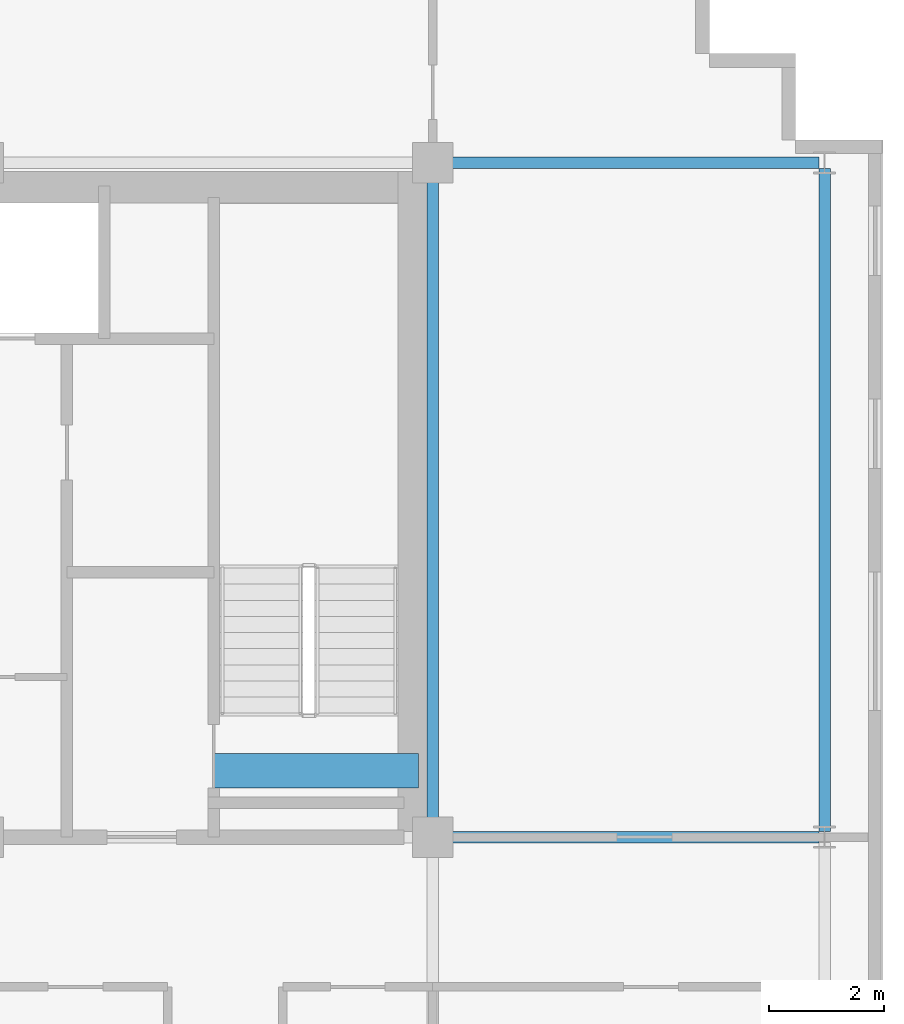
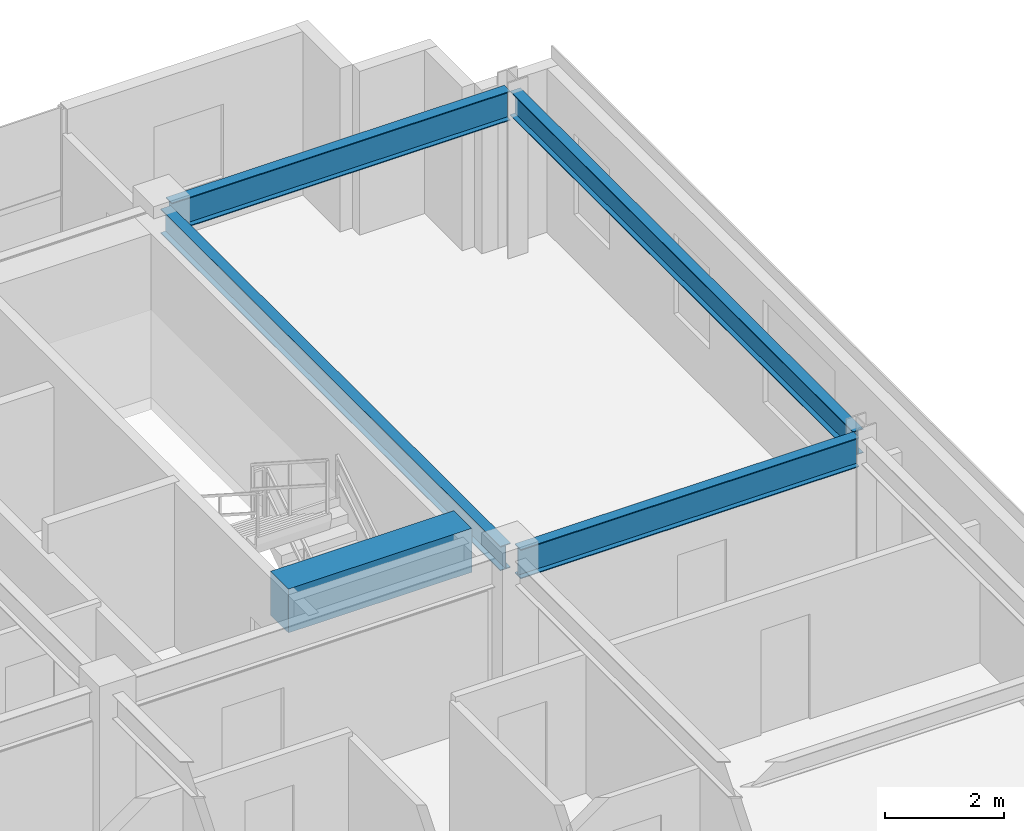
# One storey, part 11 of 20: 5 beams.
"""IFC4 building model written with IfcOpenShell, lengths in metres."""

import ifcopenshell
import ifcopenshell.guid

model = None  # the IFC model being written
_history = None  # IfcOwnerHistory: only IFC2X3 demands one
_inside = {}  # id of a spatial element -> (the spatial element, [elements in it])
_under = {}  # id of a project, library or spatial element -> (it, [spatial elements below it])
_declared = {}  # id of a project -> (the project, [libraries it declares])
_typed = {}  # id of a type object -> (the type object, [elements of that type])
_made_of = {}  # id of a material, layer set ... -> (it, [elements and type objects made of it])


def new_model(schema):
    """Start an empty IFC model of exactly this schema.

    Asked for "IFC4X3", IfcOpenShell would pick the latest addendum, in which some entities
    have other attributes; the version numbers below select the first issue.
    IFC2X3 requires an IfcOwnerHistory on every rooted entity: one is made here for all.
    """
    global model, _history
    if schema == "IFC4X3":
        model = ifcopenshell.file(schema_version=(4, 3, 0, 0))
    else:
        model = ifcopenshell.file(schema=schema)
    _inside.clear()
    _under.clear()
    _declared.clear()
    _typed.clear()
    _made_of.clear()
    _history = None
    if model.schema == "IFC2X3":
        org = make("IfcOrganization", Name="unknown")
        user = make(
            "IfcPersonAndOrganization",
            ThePerson=make("IfcPerson", FamilyName="unknown"),
            TheOrganization=org,
        )
        app = make(
            "IfcApplication",
            ApplicationDeveloper=org,
            Version="unknown",
            ApplicationFullName="unknown",
            ApplicationIdentifier="unknown",
        )
        _history = make(
            "IfcOwnerHistory",
            OwningUser=user,
            OwningApplication=app,
            ChangeAction="ADDED",
            CreationDate=0,
        )
    return model


def make(cls, **values):
    """One entity of the class cls with the attributes given. An attribute that is None is left unset."""
    return model.create_entity(
        cls, **{name: value for name, value in values.items() if value is not None}
    )


def rooted(cls, **values):
    """An entity with a GlobalId (a new one), such as an element, a storey or a relation."""
    return make(cls, GlobalId=ifcopenshell.guid.new(), OwnerHistory=_history, **values)


def si_unit(unit_type, name, prefix=None):
    """IfcSIUnit, for example si_unit("LENGTHUNIT", "METRE", prefix="MILLI")."""
    return make("IfcSIUnit", UnitType=unit_type, Prefix=prefix, Name=name)


def assignment(units):
    """IfcUnitAssignment: the units of a project."""
    return None if units is None else make("IfcUnitAssignment", Units=units)


def point(xyz):
    """IfcCartesianPoint."""
    return None if xyz is None else make("IfcCartesianPoint", Coordinates=xyz)


def direction(xyz):
    """IfcDirection."""
    return None if xyz is None else make("IfcDirection", DirectionRatios=xyz)


def frame(location, z_axis=None, x_axis=None):
    """IfcAxis2Placement3D, a coordinate frame: its origin and axes. An axis left out is left unset."""
    return make(
        "IfcAxis2Placement3D",
        Location=point(location),
        Axis=direction(z_axis),
        RefDirection=direction(x_axis),
    )


def frame_2d(location, x_axis=None):
    """IfcAxis2Placement2D, a coordinate frame in the plane: its origin and x axis."""
    return make(
        "IfcAxis2Placement2D", Location=point(location), RefDirection=direction(x_axis)
    )


def origin():
    """The frame at (0, 0, 0) with its axes left unset."""
    return frame((0.0, 0.0, 0.0))


def origin_2d():
    """The frame at (0, 0) in the plane with its x axis left unset."""
    return frame_2d((0.0, 0.0))


def place(relative_to, where):
    """IfcLocalPlacement: puts the frame where relative to a parent placement (None: the world)."""
    return make(
        "IfcLocalPlacement", PlacementRelTo=relative_to, RelativePlacement=where
    )


def context(
    kind, dimensions, precision=None, world=None, true_north=None, identifier=None
):
    """IfcGeometricRepresentationContext, for example the 3D "Model" context."""
    return make(
        "IfcGeometricRepresentationContext",
        ContextIdentifier=identifier,
        ContextType=kind,
        CoordinateSpaceDimension=dimensions,
        Precision=precision,
        WorldCoordinateSystem=world,
        TrueNorth=true_north,
    )


def subcontext(parent, identifier, kind, view, scale=None):
    """IfcGeometricRepresentationSubContext, for example "Body" below "Model"."""
    return make(
        "IfcGeometricRepresentationSubContext",
        ContextIdentifier=identifier,
        ContextType=kind,
        ParentContext=parent,
        TargetScale=scale,
        TargetView=view,
    )


def project(units=None, contexts=None):
    """IfcProject with its units and contexts."""
    return rooted(
        "IfcProject",
        Name="project",
        RepresentationContexts=contexts,
        UnitsInContext=assignment(units),
    )


def spatial(cls, under=None, at=None, **own):
    """A site, building, storey or space (cls), placed at a placement, below another one or the project."""
    s = rooted(cls, ObjectPlacement=at, **own)
    if under is not None:
        _under.setdefault(under.id(), (under, []))[1].append(s)
    return s


def profile(cls, at=None, kind="AREA", **sizes):
    """A parametric profile (cls). Its sizes go by their IFC names, for example OverallWidth=200.0."""
    return make(cls, ProfileType=kind, Position=at, **sizes)


def rectangle(**sizes):
    """IfcRectangleProfileDef."""
    return profile("IfcRectangleProfileDef", **sizes)


def i_section(**sizes):
    """IfcIShapeProfileDef."""
    return profile("IfcIShapeProfileDef", **sizes)


def extrude(swept, where, along, depth):
    """IfcExtrudedAreaSolid: the profile swept, set in the frame where, extruded along a direction by depth."""
    return make(
        "IfcExtrudedAreaSolid",
        SweptArea=swept,
        Position=where,
        ExtrudedDirection=direction(along),
        Depth=depth,
    )


def shape(context_of_items, identifier, shape_type, items):
    """IfcShapeRepresentation: the items that make up one representation, for example the "Body"."""
    return make(
        "IfcShapeRepresentation",
        ContextOfItems=context_of_items,
        RepresentationIdentifier=identifier,
        RepresentationType=shape_type,
        Items=items,
    )


def source(mapping_origin, context_of_items, identifier, shape_type, items):
    """IfcRepresentationMap: a shape defined once, which mapped items show again and again."""
    return make(
        "IfcRepresentationMap",
        MappingOrigin=mapping_origin,
        MappedRepresentation=shape(context_of_items, identifier, shape_type, items),
    )


def transform(
    local_origin,
    x_axis=None,
    y_axis=None,
    z_axis=None,
    scale=None,
    scale2=None,
    scale3=None,
    uniform=True,
):
    """IfcCartesianTransformationOperator3D, or its non-uniform kind. x_axis, y_axis, z_axis: its Axis1, 2, 3."""
    if uniform:
        return make(
            "IfcCartesianTransformationOperator3D",
            Axis1=direction(x_axis),
            Axis2=direction(y_axis),
            LocalOrigin=point(local_origin),
            Scale=scale,
            Axis3=direction(z_axis),
        )
    return make(
        "IfcCartesianTransformationOperator3DnonUniform",
        Axis1=direction(x_axis),
        Axis2=direction(y_axis),
        LocalOrigin=point(local_origin),
        Scale=scale,
        Axis3=direction(z_axis),
        Scale2=scale2,
        Scale3=scale3,
    )


def mapped(mapping_source, mapping_target):
    """IfcMappedItem: shows the shape of a source again, moved by a transform."""
    return make(
        "IfcMappedItem", MappingSource=mapping_source, MappingTarget=mapping_target
    )


def material(Name=None, Category=None):
    """IfcMaterial."""
    return make("IfcMaterial", Name=Name, Category=Category)


def material_profile(
    of_material, cross_section, Name=None, Category=None, Priority=None
):
    """IfcMaterialProfile: a cross section and its material."""
    return make(
        "IfcMaterialProfile",
        Name=Name,
        Material=of_material,
        Profile=cross_section,
        Priority=Priority,
        Category=Category,
    )


def profile_set(profiles, Name=None, composite=None):
    """IfcMaterialProfileSet."""
    return make(
        "IfcMaterialProfileSet",
        Name=Name,
        MaterialProfiles=profiles,
        CompositeProfile=composite,
    )


def made_of(thing, what):
    """Note that an element or type object is made of a material, layer set ...; save() writes the relation."""
    if what is not None:
        _made_of.setdefault(what.id(), (what, []))[1].append(thing)
    return thing


def type_object(cls, material=None, **own):
    """A type object (cls), such as IfcWallType, which elements share."""
    return made_of(rooted(cls, **own), material)


def element(
    cls,
    number,
    at=None,
    inside=None,
    cuts=None,
    type_object=None,
    material=None,
    context=None,
    identifier="Body",
    shape_type=None,
    held_by="IfcProductDefinitionShape",
    body=None,
    shapes=None,
    **own,
):
    """One element of the class cls, such as IfcWall. Its Tag is "e" and its number.

    at: its placement. inside: the storey or other place that contains it. cuts: it is an
    opening in that element (IfcRelVoidsElement). A single representation is given by context,
    identifier, shape_type and body (its items); several are given by shapes. held_by: the class
    of the entity that holds the representations. save() writes the other relations.
    """
    e = rooted(cls, Tag="e%d" % number, ObjectPlacement=at, **own)
    if body is not None:
        shapes = [shape(context, identifier, shape_type, body)]
    if shapes is not None:
        e.Representation = make(held_by, Representations=shapes)
    if inside is not None:
        _inside.setdefault(inside.id(), (inside, []))[1].append(e)
    if cuts is not None:
        rooted(
            "IfcRelVoidsElement", RelatingBuildingElement=cuts, RelatedOpeningElement=e
        )
    if type_object is not None:
        _typed.setdefault(type_object.id(), (type_object, []))[1].append(e)
    return made_of(e, material)


def aggregate(whole, parts):
    """IfcRelAggregates: a whole, such as a stair, and the parts it consists of."""
    return rooted("IfcRelAggregates", RelatingObject=whole, RelatedObjects=parts)


def save(model, path):
    """Write the relations noted so far, then the file.

    IfcRelAggregates (storeys below a building ...), IfcRelContainedInSpatialStructure (elements
    in a storey), IfcRelDefinesByType, IfcRelAssociatesMaterial and IfcRelDeclares: one each for
    every whole, place, type object, material and project.
    """
    for whole, parts in _under.values():
        aggregate(whole, parts)
    for where, things in _inside.values():
        rooted(
            "IfcRelContainedInSpatialStructure",
            RelatedElements=things,
            RelatingStructure=where,
        )
    for kind, things in _typed.values():
        rooted("IfcRelDefinesByType", RelatedObjects=things, RelatingType=kind)
    for what, things in _made_of.values():
        rooted("IfcRelAssociatesMaterial", RelatedObjects=things, RelatingMaterial=what)
    for by, libraries in _declared.values():
        rooted("IfcRelDeclares", RelatingContext=by, RelatedDefinitions=libraries)
    model.write(path)


model = new_model("IFC4")

# Units and contexts
model_context = context("Model", 3, precision=1e-05, world=origin(), true_north=direction((0.0, 1.0)))
body_context = subcontext(model_context, "Body", "Model", "MODEL_VIEW")
ifc_project = project(units=[si_unit("LENGTHUNIT", "METRE"), si_unit("AREAUNIT", "SQUARE_METRE"), si_unit("VOLUMEUNIT", "CUBIC_METRE"), si_unit("PLANEANGLEUNIT", "RADIAN"), si_unit("MASSUNIT", "GRAM", prefix="KILO")], contexts=[model_context])

# Site, building, storey
site_placement = place(None, origin())
site = spatial("IfcSite", under=ifc_project, at=site_placement, CompositionType="ELEMENT")
building_placement = place(site_placement, origin())
building = spatial("IfcBuilding", under=site, at=building_placement, Name="Trelvane Seafront Commons", CompositionType="ELEMENT")
storey_placement = place(building_placement, frame((0.0, 0.0, 142.89990234375)))
storey = spatial("IfcBuildingStorey", under=building, at=storey_placement, Name="L37", CompositionType="ELEMENT", Elevation=142.89990234375)

# Beams
ifc_material_1 = material(Name="Concrete C60/75", Category="concrete")
ifc_material_profile_1 = material_profile(ifc_material_1, rectangle(XDim=0.60009765625, YDim=0.89990234375, at=origin_2d()), Name="RC-600x900")
ifc_profile_set_1 = profile_set([ifc_material_profile_1], Name="Concrete C60/75")
beam_type_1 = type_object("IfcBeamType", Name="STR-LNT-RC600x900", PredefinedType="LINTEL", material=ifc_profile_set_1)
shared_shape_1 = source(origin(), body_context, "Body", "SweptSolid", [
    extrude(rectangle(XDim=0.60009765625, YDim=0.89990234375, at=origin_2d()), origin(), (0.0, 0.0, 1.0), 3.550048828125),
])
beam_1_placement = place(storey_placement, frame((55.0, 34.550048828125, 2.900146484375), z_axis=(1.0, 0.0, 0.0), x_axis=(0.0, 1.0, 0.0)))
element("IfcBeam", 1, at=beam_1_placement, inside=storey, type_object=beam_type_1, Name="L37 Core Coupling Lintel Beam CB-68", PredefinedType="LINTEL", context=body_context, shape_type="MappedRepresentation", body=[
    mapped(shared_shape_1, transform((0.0, 0.0, 0.0), x_axis=(1.0, 0.0, 0.0), y_axis=(0.0, 1.0, 0.0), z_axis=(0.0, 0.0, 1.0), scale=1.0)),
])
ifc_material_2 = material(Name="Steel SM355 (S355)", Category="steel")
ifc_material_profile_2 = material_profile(ifc_material_2, i_section(OverallWidth=0.199951171875, OverallDepth=0.5, WebThickness=0.010009765625, FlangeThickness=0.01611328125, at=origin_2d()), Name="H-500x200x10x16")
ifc_profile_set_2 = profile_set([ifc_material_profile_2], Name="Steel SM355 (S355)")
beam_type_2 = type_object("IfcBeamType", Name="STR-BM-H500", PredefinedType="BEAM", material=ifc_profile_set_2)
shared_shape_2 = source(origin(), body_context, "Body", "SweptSolid", [
    extrude(i_section(OverallWidth=0.199951171875, OverallDepth=0.5, WebThickness=0.010009765625, FlangeThickness=0.01611328125, at=origin_2d()), origin(), (0.0, 0.0, 1.0), 11.39990234375),
])
beam_2_placement = place(storey_placement, frame((58.800048828125, 33.550048828125, 3.10009765625), z_axis=(0.0, 1.0, 0.0), x_axis=(-1.0, 0.0, 0.0)))
element("IfcBeam", 2, at=beam_2_placement, inside=storey, type_object=beam_type_2, Name="L37 Primary Girder G-49", PredefinedType="BEAM", context=body_context, shape_type="MappedRepresentation", body=[
    mapped(shared_shape_2, transform((0.0, 0.0, 0.0), x_axis=(1.0, 0.0, 0.0), y_axis=(0.0, 1.0, 0.0), z_axis=(0.0, 0.0, 1.0), scale=1.0)),
])
ifc_material_profile_3 = material_profile(ifc_material_2, i_section(OverallWidth=0.199951171875, OverallDepth=0.60009765625, WebThickness=0.010986328125, FlangeThickness=0.01708984375, at=origin_2d()), Name="H-600x200x11x17")
ifc_profile_set_3 = profile_set([ifc_material_profile_3], Name="Steel SM355 (S355)")
beam_type_3 = type_object("IfcBeamType", Name="STR-SPD-H600", PredefinedType="SPANDREL", material=ifc_profile_set_3)
shared_shape_3 = source(origin(), body_context, "Body", "SweptSolid", [
    extrude(i_section(OverallWidth=0.199951171875, OverallDepth=0.60009765625, WebThickness=0.010986328125, FlangeThickness=0.01708984375, at=origin_2d()), origin(), (0.0, 0.0, 1.0), 6.554931640625),
])
for number, where, z_axis, x_axis, name in (
    (3, (58.949951171875, 33.39990234375, 3.050048828125), (1.0, 0.0, 0.0), (0.0, 1.0, 0.0), "L37 Primary Girder G-21"),
    (4, (58.949951171875, 45.10009765625, 3.050048828125), (1.0, 0.0, 0.0), (0.0, 1.0, 0.0), "L37 Primary Girder G-28"),
):
    element("IfcBeam", number, at=place(storey_placement, frame(where, z_axis=z_axis, x_axis=x_axis)), inside=storey, type_object=beam_type_3, Name=name, PredefinedType="SPANDREL", context=body_context, shape_type="MappedRepresentation", body=[
        mapped(shared_shape_3, transform((0.0, 0.0, 0.0), x_axis=(1.0, 0.0, 0.0), y_axis=(0.0, 1.0, 0.0), z_axis=(0.0, 0.0, 1.0), scale=1.0)),
    ])
shared_shape_4 = source(origin(), body_context, "Body", "SweptSolid", [
    extrude(i_section(OverallWidth=0.199951171875, OverallDepth=0.5, WebThickness=0.010009765625, FlangeThickness=0.01611328125, at=origin_2d()), origin(), (0.0, 0.0, 1.0), 11.509765625),
])
beam_3_placement = place(storey_placement, frame((65.60009765625, 33.4951171875, 3.10009765625), z_axis=(0.0, 1.0, 0.0), x_axis=(-1.0, 0.0, 0.0)))
element("IfcBeam", 5, at=beam_3_placement, inside=storey, type_object=beam_type_2, Name="L37 Primary Girder G-52", PredefinedType="BEAM", context=body_context, shape_type="MappedRepresentation", body=[
    mapped(shared_shape_4, transform((0.0, 0.0, 0.0), x_axis=(1.0, 0.0, 0.0), y_axis=(0.0, 1.0, 0.0), z_axis=(0.0, 0.0, 1.0), scale=1.0)),
])

save(model, "model.ifc")
